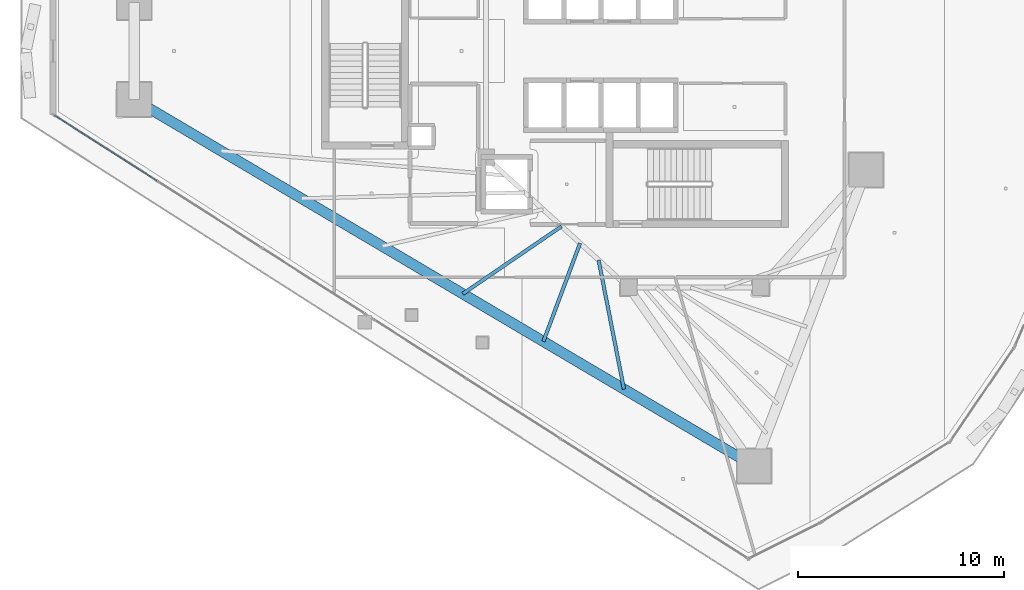
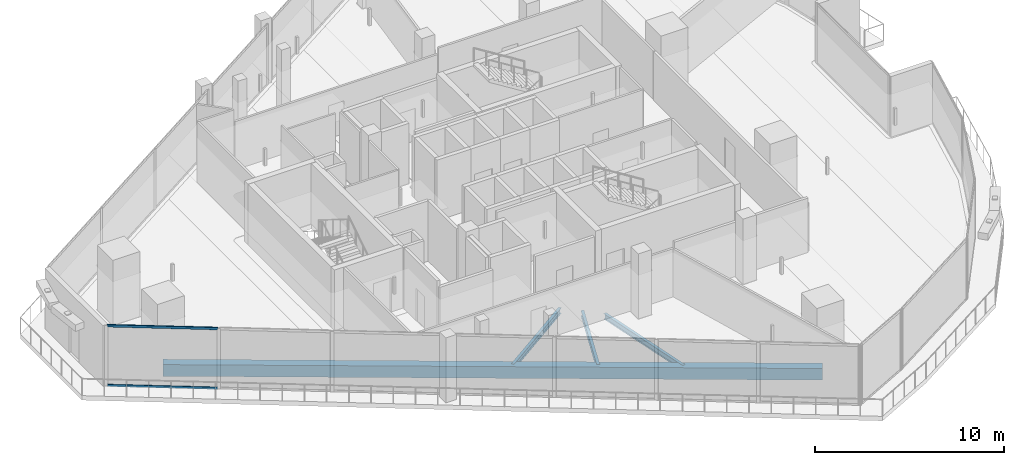
# One storey, part 4 of 31: 4 beams, 2 members, 1 element without a shape of its own.
"""IFC4 building model written with IfcOpenShell, lengths in metres."""

from ifc_helpers import new_model, si_unit, direction, frame, origin, origin_2d, place, context, subcontext, project, spatial, rectangle, hollow_rectangle, i_section, extrude, material, layer, layer_set, material_profile, profile_set, type_object, element, aggregate, save


model = new_model("IFC4")

# Units and contexts
model_context = context("Model", 3, precision=1e-05, world=origin(), true_north=direction((0.0, 1.0)))
body_context = subcontext(model_context, "Body", "Model", "MODEL_VIEW")
ifc_project = project(units=[si_unit("LENGTHUNIT", "METRE"), si_unit("AREAUNIT", "SQUARE_METRE"), si_unit("VOLUMEUNIT", "CUBIC_METRE"), si_unit("PLANEANGLEUNIT", "RADIAN"), si_unit("MASSUNIT", "GRAM", prefix="KILO")], contexts=[model_context])

# Site, building, storey
site_placement = place(None, origin())
site = spatial("IfcSite", under=ifc_project, at=site_placement, CompositionType="ELEMENT")
building_placement = place(site_placement, origin())
building = spatial("IfcBuilding", under=site, at=building_placement, Name="Qorvath Tower", CompositionType="ELEMENT")
storey_placement = place(building_placement, frame((0.0, 0.0, 259.800048828125)))
storey = spatial("IfcBuildingStorey", under=building, at=storey_placement, Name="L60", CompositionType="ELEMENT", Elevation=259.800048828125)

# Beams
ifc_material_1 = material(Name="Steel ASTM A992 Grade 50", Category="steel")
ifc_material_profile_1 = material_profile(ifc_material_1, i_section(OverallWidth=0.1708984375, OverallDepth=0.35107421875, WebThickness=0.0068359375, FlangeThickness=0.009765625, FilletRadius=0.010009765625, at=origin_2d()), Name="W14x30")
ifc_profile_set_1 = profile_set([ifc_material_profile_1], Name="Steel ASTM A992 Grade 50")
beam_type_1 = type_object("IfcBeamType", Name="BM-FJ4", PredefinedType="JOIST", material=ifc_profile_set_1)
beam_1_placement = place(storey_placement, frame((-26.843017578125, -8.489013671875, -0.465576171875), z_axis=(-0.82557592702, -0.564291049658, 0.0), x_axis=(0.564291049658, -0.82557592702, 0.0)))
element("IfcBeam", 1, at=beam_1_placement, inside=storey, type_object=beam_type_1, Name="Composite Floor Joist SW4 L60", PredefinedType="JOIST", context=body_context, shape_type="SweptSolid", body=[
    extrude(i_section(OverallWidth=0.1708984375, OverallDepth=0.35107421875, WebThickness=0.0068359375, FlangeThickness=0.009765625, FilletRadius=0.010009765625, at=origin_2d()), origin(), (0.0, 0.0, 1.0), 5.793212890625),
])
beam_2_placement = place(storey_placement, frame((-25.946044921875, -9.30810546875, -0.465576171875), z_axis=(-0.349858795354, -0.936802446257, 0.0), x_axis=(0.936802446257, -0.349858795354, 0.0)))
element("IfcBeam", 2, at=beam_2_placement, inside=storey, type_object=beam_type_1, Name="Composite Floor Joist SW5 L60", PredefinedType="JOIST", context=body_context, shape_type="SweptSolid", body=[
    extrude(i_section(OverallWidth=0.1708984375, OverallDepth=0.35107421875, WebThickness=0.0068359375, FlangeThickness=0.009765625, FilletRadius=0.010009765625, at=origin_2d()), origin(), (0.0, 0.0, 1.0), 5.078857421875),
])
beam_3_placement = place(storey_placement, frame((-25.049072265625, -10.126953125, -0.465576171875), z_axis=(0.193040016911, -0.981190884523, 0.0), x_axis=(0.981190884523, 0.193040016911, 0.0)))
element("IfcBeam", 3, at=beam_3_placement, inside=storey, type_object=beam_type_1, Name="Composite Floor Joist SW6 L60", PredefinedType="JOIST", context=body_context, shape_type="SweptSolid", body=[
    extrude(i_section(OverallWidth=0.1708984375, OverallDepth=0.35107421875, WebThickness=0.0068359375, FlangeThickness=0.009765625, FilletRadius=0.010009765625, at=origin_2d()), origin(), (0.0, 0.0, 1.0), 6.366455078125),
])
ifc_material_2 = material(Name="Concrete C45/55", Category="concrete")
ifc_material_profile_2 = material_profile(ifc_material_2, rectangle(XDim=0.5, YDim=0.75, at=origin_2d()), Name="RCB 750x500")
ifc_profile_set_2 = profile_set([ifc_material_profile_2], Name="Concrete C45/55")
beam_type_2 = type_object("IfcBeamType", Name="BM-RCB3", PredefinedType="SPANDREL", material=ifc_profile_set_2)
beam_4_placement = place(storey_placement, frame((-47.53759765625, -2.349609375, -0.6650390625), z_axis=(0.860781425392, -0.50897479083, 0.0), x_axis=(0.50897479083, 0.860781425392, 0.0)))
element("IfcBeam", 4, at=beam_4_placement, inside=storey, type_object=beam_type_2, Name="Perimeter Loggia Frame Beam MC2-MC3 L60", PredefinedType="SPANDREL", context=body_context, shape_type="SweptSolid", body=[
    extrude(rectangle(XDim=0.5, YDim=0.75, at=origin_2d()), origin(), (0.0, 0.0, 1.0), 34.8779296875),
])

# Curtain wall, members
ifc_material_3 = material(Name="Anodised aluminium and triple low-E glass", Category="aluminium")
ifc_layer = layer(ifc_material_3, 0.179931640625)
ifc_layer_set = layer_set([ifc_layer], Name="CW-SYS-4")
curtain_wall_type = type_object("IfcCurtainWallType", Name="CW-SYS-4", PredefinedType="NOTDEFINED", material=ifc_layer_set)
curtain_wall_placement = place(storey_placement, origin())
curtain_wall = element("IfcCurtainWall", 5, at=curtain_wall_placement, inside=storey, type_object=curtain_wall_type, Name="Curtain Wall CW-4 CW-T-L60-2.1", PredefinedType="NOTDEFINED")
ifc_material_4 = material(Name="Anodised aluminium 6063-T6", Category="aluminium")
ifc_material_profile_3 = material_profile(ifc_material_4, hollow_rectangle(XDim=0.06494140625, YDim=0.159912109375, WallThickness=0.00341796875, InnerFilletRadius=0.00341796875, OuterFilletRadius=0.007080078125, at=origin_2d()), Name="CWT 160x65")
ifc_profile_set_3 = profile_set([ifc_material_profile_3], Name="Anodised aluminium 6063-T6")
member_type = type_object("IfcMemberType", Name="CWT-160", PredefinedType="USERDEFINED", material=ifc_profile_set_3)
member_1_placement = place(storey_placement, frame((-51.407958984375, -3.114501953125, 0.032470703125), z_axis=(0.842590650022, -0.538554543659, 0.0), x_axis=(0.538554543659, 0.842590650022, 0.0)))
member_1 = element("IfcMember", 6, at=member_1_placement, type_object=member_type, Name="CW-4 transom 1.1", ObjectType="TRANSOM", PredefinedType="USERDEFINED", context=body_context, shape_type="SweptSolid", body=[
    extrude(hollow_rectangle(XDim=0.06494140625, YDim=0.159912109375, WallThickness=0.00341796875, InnerFilletRadius=0.00341796875, OuterFilletRadius=0.007080078125, at=origin_2d()), origin(), (0.0, 0.0, 1.0), 5.885986328125),
])
member_2_placement = place(storey_placement, frame((-51.407958984375, -3.114501953125, 3.87744140625), z_axis=(0.842590650022, -0.538554543659, 0.0), x_axis=(0.538554543659, 0.842590650022, 0.0)))
member_2 = element("IfcMember", 7, at=member_2_placement, type_object=member_type, Name="CW-4 transom 1.2", ObjectType="TRANSOM", PredefinedType="USERDEFINED", context=body_context, shape_type="SweptSolid", body=[
    extrude(hollow_rectangle(XDim=0.06494140625, YDim=0.159912109375, WallThickness=0.00341796875, InnerFilletRadius=0.00341796875, OuterFilletRadius=0.007080078125, at=origin_2d()), origin(), (0.0, 0.0, 1.0), 5.885986328125),
])
aggregate(curtain_wall, [member_1, member_2])

save(model, "model.ifc")
